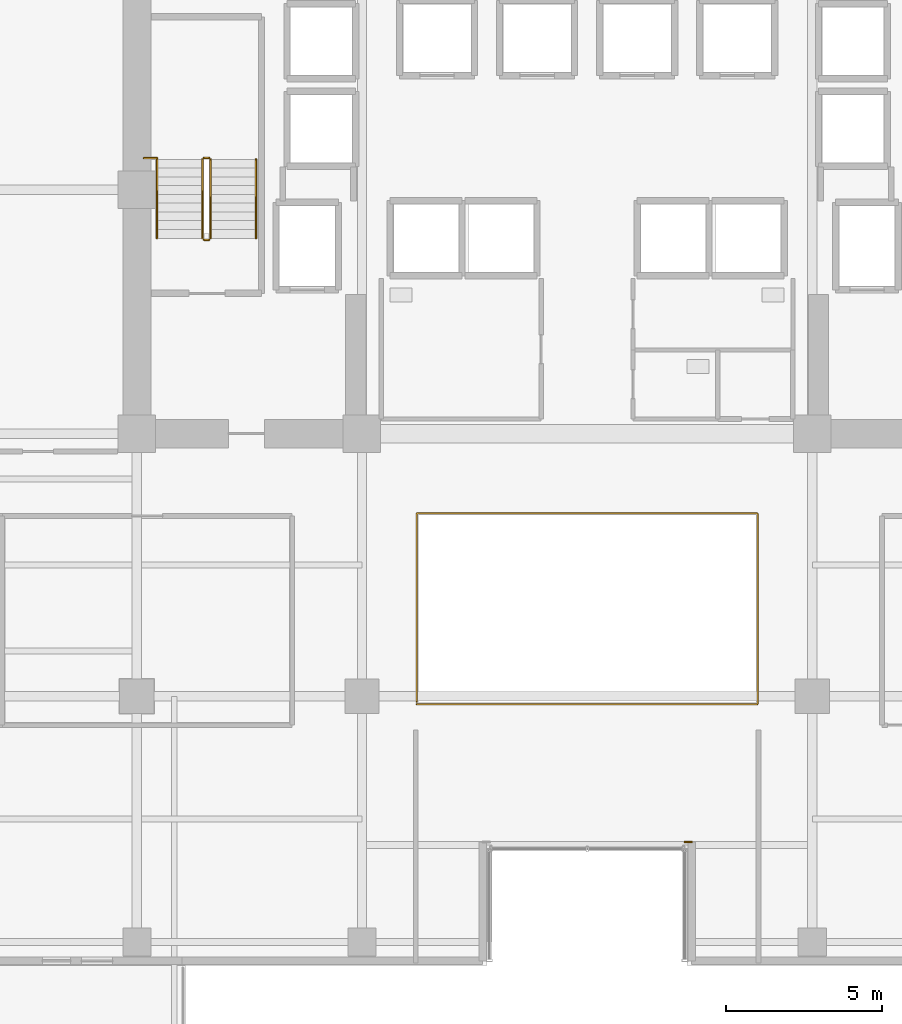
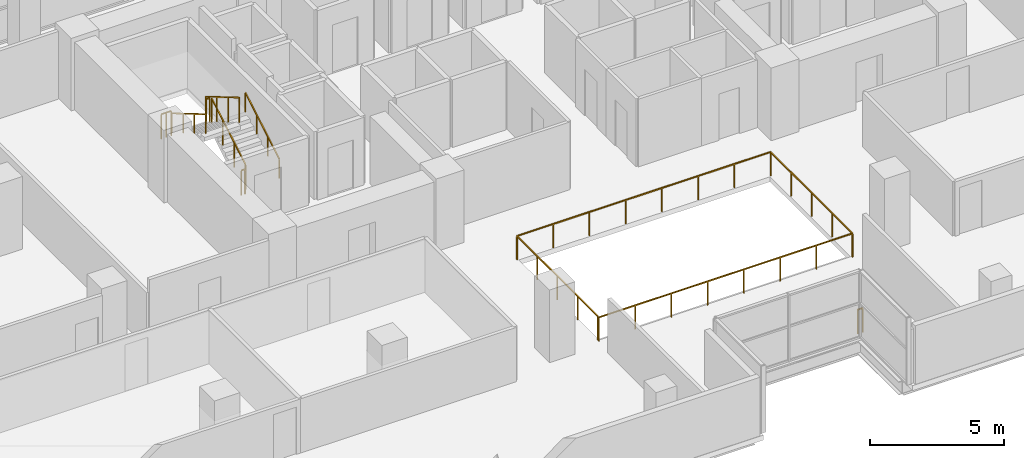
# One storey, part 28 of 30: 9 railings.
"""IFC4 building model written with IfcOpenShell, lengths in metres."""

from ifc_helpers import new_model, si_unit, direction, frame, origin, origin_2d, place, context, subcontext, project, spatial, rectangle, extrude, material, type_object, element, save


model = new_model("IFC4")

# Units and contexts
model_context = context("Model", 3, precision=1e-05, world=origin(), true_north=direction((0.0, 1.0)))
body_context = subcontext(model_context, "Body", "Model", "MODEL_VIEW")
ifc_project = project(units=[si_unit("LENGTHUNIT", "METRE"), si_unit("AREAUNIT", "SQUARE_METRE"), si_unit("VOLUMEUNIT", "CUBIC_METRE"), si_unit("PLANEANGLEUNIT", "RADIAN"), si_unit("MASSUNIT", "GRAM", prefix="KILO")], contexts=[model_context])

# Site, building, storey
site_placement = place(None, origin())
site = spatial("IfcSite", under=ifc_project, at=site_placement, CompositionType="ELEMENT")
building_placement = place(site_placement, origin())
building = spatial("IfcBuilding", under=site, at=building_placement, Name="Zarnakvel Exchange Tower", CompositionType="ELEMENT")
storey_placement = place(building_placement, frame((0.0, 0.0, 40.60009765625)))
storey = spatial("IfcBuildingStorey", under=building, at=storey_placement, Name="L10", CompositionType="ELEMENT", Elevation=40.60009765625)

# Railings
ifc_material_1 = material(Name="Architectural Bronze Anodised Aluminium", Category="aluminium")
railing_type_1 = type_object("IfcRailingType", Name="GR-02", PredefinedType="GUARDRAIL", material=ifc_material_1)
railing_1_placement = place(storey_placement, frame((3.340087890625, -14.260009765625, 0.0)))
element("IfcRailing", 1, at=railing_1_placement, inside=storey, type_object=railing_type_1, Name="L10 Corner Spandrel Balustrade #18", PredefinedType="GUARDRAIL", context=body_context, shape_type="SweptSolid", body=[
    extrude(rectangle(XDim=0.048095703125, YDim=0.048095703125, at=origin_2d()), frame((0.0, 0.0, 1.09619140625), z_axis=(-1.0, 0.0, 0.0), x_axis=(0.0, -1.0, 0.0)), (0.0, 0.0, 1.0), 0.219970703125),
    extrude(rectangle(XDim=0.0419921875, YDim=0.0419921875, at=origin_2d()), origin(), (0.0, 0.0, 1.0), 1.072021484375),
    extrude(rectangle(XDim=0.0419921875, YDim=0.0419921875, at=origin_2d()), frame((-0.219970703125, 0.0, 0.0)), (0.0, 0.0, 1.0), 1.072021484375),
])
railing_type_2 = type_object("IfcRailingType", Name="GR-03", PredefinedType="GUARDRAIL", material=ifc_material_1)
railing_2_placement = place(storey_placement, frame((-5.449951171875, -9.85009765625, 0.0)))
element("IfcRailing", 2, at=railing_2_placement, inside=storey, type_object=railing_type_2, Name="L10 Atrium Void Perimeter Balustrade", PredefinedType="GUARDRAIL", context=body_context, shape_type="SweptSolid", body=[
    extrude(rectangle(XDim=0.048095703125, YDim=0.048095703125, at=origin_2d()), frame((0.0, 0.0, 1.076171875), z_axis=(1.0, 0.0, 0.0), x_axis=(0.0, 1.0, 0.0)), (0.0, 0.0, 1.0), 10.89990234375),
    extrude(rectangle(XDim=0.048095703125, YDim=0.048095703125, at=origin_2d()), frame((10.89990234375, 0.0, 1.076171875), z_axis=(0.0, 1.0, 0.0), x_axis=(-1.0, 0.0, 0.0)), (0.0, 0.0, 1.0), 6.10009765625),
    extrude(rectangle(XDim=0.048095703125, YDim=0.048095703125, at=origin_2d()), frame((10.89990234375, 6.10009765625, 1.076171875), z_axis=(-1.0, 0.0, 0.0), x_axis=(0.0, -1.0, 0.0)), (0.0, 0.0, 1.0), 10.89990234375),
    extrude(rectangle(XDim=0.048095703125, YDim=0.048095703125, at=origin_2d()), frame((0.0, 6.10009765625, 1.076171875), z_axis=(0.0, -1.0, 0.0), x_axis=(1.0, 0.0, 0.0)), (0.0, 0.0, 1.0), 6.02001953125),
    extrude(rectangle(XDim=0.0419921875, YDim=0.0419921875, at=origin_2d()), origin(), (0.0, 0.0, 1.0), 1.052001953125),
    extrude(rectangle(XDim=0.0419921875, YDim=0.0419921875, at=origin_2d()), frame((1.55712890625, 0.0, 0.0)), (0.0, 0.0, 1.0), 1.052001953125),
    extrude(rectangle(XDim=0.0419921875, YDim=0.0419921875, at=origin_2d()), frame((3.1142578125, 0.0, 0.0)), (0.0, 0.0, 1.0), 1.052001953125),
    extrude(rectangle(XDim=0.0419921875, YDim=0.0419921875, at=origin_2d()), frame((4.67138671875, 0.0, 0.0)), (0.0, 0.0, 1.0), 1.052001953125),
    extrude(rectangle(XDim=0.0419921875, YDim=0.0419921875, at=origin_2d()), frame((6.228515625, 0.0, 0.0)), (0.0, 0.0, 1.0), 1.052001953125),
    extrude(rectangle(XDim=0.0419921875, YDim=0.0419921875, at=origin_2d()), frame((7.78564453125, 0.0, 0.0)), (0.0, 0.0, 1.0), 1.052001953125),
    extrude(rectangle(XDim=0.0419921875, YDim=0.0419921875, at=origin_2d()), frame((9.3427734375, 0.0, 0.0)), (0.0, 0.0, 1.0), 1.052001953125),
    extrude(rectangle(XDim=0.0419921875, YDim=0.0419921875, at=origin_2d()), frame((10.89990234375, 0.0, 0.0)), (0.0, 0.0, 1.0), 1.052001953125),
    extrude(rectangle(XDim=0.0419921875, YDim=0.0419921875, at=origin_2d()), frame((10.89990234375, 1.52490234375, 0.0)), (0.0, 0.0, 1.0), 1.052001953125),
    extrude(rectangle(XDim=0.0419921875, YDim=0.0419921875, at=origin_2d()), frame((10.89990234375, 3.050048828125, 0.0)), (0.0, 0.0, 1.0), 1.052001953125),
    extrude(rectangle(XDim=0.0419921875, YDim=0.0419921875, at=origin_2d()), frame((10.89990234375, 4.5751953125, 0.0)), (0.0, 0.0, 1.0), 1.052001953125),
    extrude(rectangle(XDim=0.0419921875, YDim=0.0419921875, at=origin_2d()), frame((10.89990234375, 6.10009765625, 0.0)), (0.0, 0.0, 1.0), 1.052001953125),
    extrude(rectangle(XDim=0.0419921875, YDim=0.0419921875, at=origin_2d()), frame((9.3427734375, 6.10009765625, 0.0)), (0.0, 0.0, 1.0), 1.052001953125),
    extrude(rectangle(XDim=0.0419921875, YDim=0.0419921875, at=origin_2d()), frame((7.78564453125, 6.10009765625, 0.0)), (0.0, 0.0, 1.0), 1.052001953125),
    extrude(rectangle(XDim=0.0419921875, YDim=0.0419921875, at=origin_2d()), frame((6.228515625, 6.10009765625, 0.0)), (0.0, 0.0, 1.0), 1.052001953125),
    extrude(rectangle(XDim=0.0419921875, YDim=0.0419921875, at=origin_2d()), frame((4.67138671875, 6.10009765625, 0.0)), (0.0, 0.0, 1.0), 1.052001953125),
    extrude(rectangle(XDim=0.0419921875, YDim=0.0419921875, at=origin_2d()), frame((3.1142578125, 6.10009765625, 0.0)), (0.0, 0.0, 1.0), 1.052001953125),
    extrude(rectangle(XDim=0.0419921875, YDim=0.0419921875, at=origin_2d()), frame((1.55712890625, 6.10009765625, 0.0)), (0.0, 0.0, 1.0), 1.052001953125),
    extrude(rectangle(XDim=0.0419921875, YDim=0.0419921875, at=origin_2d()), frame((0.0, 6.10009765625, 0.0)), (0.0, 0.0, 1.0), 1.052001953125),
    extrude(rectangle(XDim=0.0419921875, YDim=0.0419921875, at=origin_2d()), frame((0.0, 4.59521484375, 0.0)), (0.0, 0.0, 1.0), 1.052001953125),
    extrude(rectangle(XDim=0.0419921875, YDim=0.0419921875, at=origin_2d()), frame((0.0, 3.090087890625, 0.0)), (0.0, 0.0, 1.0), 1.052001953125),
    extrude(rectangle(XDim=0.0419921875, YDim=0.0419921875, at=origin_2d()), frame((0.0, 1.5849609375, 0.0)), (0.0, 0.0, 1.0), 1.052001953125),
    extrude(rectangle(XDim=0.0419921875, YDim=0.0419921875, at=origin_2d()), frame((0.0, 0.080078125, 0.0)), (0.0, 0.0, 1.0), 1.052001953125),
])
ifc_material_2 = material(Name="Brushed Stainless Steel", Category="steel")
railing_type_3 = type_object("IfcRailingType", Name="HR-01", PredefinedType="HANDRAIL", material=ifc_material_2)
railing_3_placement = place(storey_placement, frame((-10.590087890625, 5.050048828125, 0.164794921875)))
element("IfcRailing", 3, at=railing_3_placement, inside=storey, type_object=railing_type_3, Name="L10 ST-01 stair handrail 1", PredefinedType="HANDRAIL", context=body_context, shape_type="SweptSolid", body=[
    extrude(rectangle(XDim=0.048095703125, YDim=0.048095703125, at=origin_2d()), frame((0.0, 0.0, 0.8759765625), z_axis=(0.0, 0.86152411907, 0.507716645641), x_axis=(-1.0, 0.0, 0.0)), (0.0, 0.0, 1.0), 2.925048828125),
    extrude(rectangle(XDim=0.0419921875, YDim=0.0419921875, at=origin_2d()), origin(), (0.0, 0.0, 1.0), 0.851806640625),
    extrude(rectangle(XDim=0.0419921875, YDim=0.0419921875, at=origin_2d()), frame((0.0, 0.840087890625, 0.4951171875)), (0.0, 0.0, 1.0), 0.851806640625),
    extrude(rectangle(XDim=0.0419921875, YDim=0.0419921875, at=origin_2d()), frame((0.0, 1.679931640625, 0.989990234375)), (0.0, 0.0, 1.0), 0.851806640625),
    extrude(rectangle(XDim=0.0419921875, YDim=0.0419921875, at=origin_2d()), frame((0.0, 2.52001953125, 1.485107421875)), (0.0, 0.0, 1.0), 0.851806640625),
])
railing_4_placement = place(storey_placement, frame((-13.75, 7.570068359375, 1.81494140625)))
element("IfcRailing", 4, at=railing_4_placement, inside=storey, type_object=railing_type_3, Name="L10 ST-01 stair handrail 2", PredefinedType="HANDRAIL", context=body_context, shape_type="SweptSolid", body=[
    extrude(rectangle(XDim=0.048095703125, YDim=0.048095703125, at=origin_2d()), frame((0.0, 0.0, 0.8759765625), z_axis=(0.0, -0.861560626758, 0.507654692109), x_axis=(1.0, 0.0, 0.0)), (0.0, 0.0, 1.0), 2.925048828125),
    extrude(rectangle(XDim=0.0419921875, YDim=0.0419921875, at=origin_2d()), origin(), (0.0, 0.0, 1.0), 0.851806640625),
    extrude(rectangle(XDim=0.0419921875, YDim=0.0419921875, at=origin_2d()), frame((0.0, -0.840087890625, 0.494873046875)), (0.0, 0.0, 1.0), 0.851806640625),
    extrude(rectangle(XDim=0.0419921875, YDim=0.0419921875, at=origin_2d()), frame((0.0, -1.679931640625, 0.989990234375)), (0.0, 0.0, 1.0), 0.851806640625),
    extrude(rectangle(XDim=0.0419921875, YDim=0.0419921875, at=origin_2d()), frame((0.0, -2.52001953125, 1.48486328125)), (0.0, 0.0, 1.0), 0.851806640625),
])
railing_type_4 = type_object("IfcRailingType", Name="SG-01", PredefinedType="GUARDRAIL", material=ifc_material_1)
railing_5_placement = place(storey_placement, frame((-12.0400390625, 5.050048828125, 0.164794921875)))
element("IfcRailing", 5, at=railing_5_placement, inside=storey, type_object=railing_type_4, Name="L10 ST-01 stair guard 1", PredefinedType="GUARDRAIL", context=body_context, shape_type="SweptSolid", body=[
    extrude(rectangle(XDim=0.048095703125, YDim=0.048095703125, at=origin_2d()), frame((0.0, 0.0, 1.1259765625), z_axis=(0.0, 0.86152411907, 0.507716645641), x_axis=(-1.0, 0.0, 0.0)), (0.0, 0.0, 1.0), 2.925048828125),
    extrude(rectangle(XDim=0.0419921875, YDim=0.0419921875, at=origin_2d()), origin(), (0.0, 0.0, 1.0), 1.101806640625),
    extrude(rectangle(XDim=0.0419921875, YDim=0.0419921875, at=origin_2d()), frame((0.0, 0.840087890625, 0.4951171875)), (0.0, 0.0, 1.0), 1.101806640625),
    extrude(rectangle(XDim=0.0419921875, YDim=0.0419921875, at=origin_2d()), frame((0.0, 1.679931640625, 0.989990234375)), (0.0, 0.0, 1.0), 1.101806640625),
    extrude(rectangle(XDim=0.0419921875, YDim=0.0419921875, at=origin_2d()), frame((0.0, 2.52001953125, 1.485107421875)), (0.0, 0.0, 1.0), 1.101806640625),
])
railing_6_placement = place(storey_placement, frame((-12.090087890625, 7.6201171875, 1.64990234375)))
element("IfcRailing", 6, at=railing_6_placement, inside=storey, type_object=railing_type_4, Name="L10 ST-01 stair guard 2", PredefinedType="GUARDRAIL", context=body_context, shape_type="SweptSolid", body=[
    extrude(rectangle(XDim=0.048095703125, YDim=0.048095703125, at=origin_2d()), frame((0.0, 0.0, 1.1259765625), z_axis=(-1.0, 0.0, 0.0), x_axis=(0.0, -1.0, 0.0)), (0.0, 0.0, 1.0), 0.159912109375),
    extrude(rectangle(XDim=0.0419921875, YDim=0.0419921875, at=origin_2d()), origin(), (0.0, 0.0, 1.0), 1.101806640625),
    extrude(rectangle(XDim=0.0419921875, YDim=0.0419921875, at=origin_2d()), frame((-0.159912109375, 0.0, 0.0)), (0.0, 0.0, 1.0), 1.101806640625),
])
railing_7_placement = place(storey_placement, frame((-12.300048828125, 7.570068359375, 1.81494140625)))
element("IfcRailing", 7, at=railing_7_placement, inside=storey, type_object=railing_type_4, Name="L10 ST-01 stair guard 3", PredefinedType="GUARDRAIL", context=body_context, shape_type="SweptSolid", body=[
    extrude(rectangle(XDim=0.048095703125, YDim=0.048095703125, at=origin_2d()), frame((0.0, 0.0, 1.1259765625), z_axis=(0.0, -0.861560626758, 0.507654692109), x_axis=(1.0, 0.0, 0.0)), (0.0, 0.0, 1.0), 2.925048828125),
    extrude(rectangle(XDim=0.0419921875, YDim=0.0419921875, at=origin_2d()), origin(), (0.0, 0.0, 1.0), 1.101806640625),
    extrude(rectangle(XDim=0.0419921875, YDim=0.0419921875, at=origin_2d()), frame((0.0, -0.840087890625, 0.494873046875)), (0.0, 0.0, 1.0), 1.101806640625),
    extrude(rectangle(XDim=0.0419921875, YDim=0.0419921875, at=origin_2d()), frame((0.0, -1.679931640625, 0.989990234375)), (0.0, 0.0, 1.0), 1.101806640625),
    extrude(rectangle(XDim=0.0419921875, YDim=0.0419921875, at=origin_2d()), frame((0.0, -2.52001953125, 1.48486328125)), (0.0, 0.0, 1.0), 1.101806640625),
])
railing_8_placement = place(storey_placement, frame((-12.090087890625, 5.0, 0.0)))
element("IfcRailing", 8, at=railing_8_placement, inside=storey, type_object=railing_type_4, Name="L10 ST-01 stair guard 4", PredefinedType="GUARDRAIL", context=body_context, shape_type="SweptSolid", body=[
    extrude(rectangle(XDim=0.048095703125, YDim=0.048095703125, at=origin_2d()), frame((0.0, 0.0, 1.1259765625), z_axis=(-1.0, 0.0, 0.0), x_axis=(0.0, -1.0, 0.0)), (0.0, 0.0, 1.0), 0.159912109375),
    extrude(rectangle(XDim=0.0419921875, YDim=0.0419921875, at=origin_2d()), origin(), (0.0, 0.0, 1.0), 1.101806640625),
    extrude(rectangle(XDim=0.0419921875, YDim=0.0419921875, at=origin_2d()), frame((-0.159912109375, 0.0, 0.0)), (0.0, 0.0, 1.0), 1.101806640625),
])
railing_9_placement = place(storey_placement, frame((-14.179931640625, 7.610107421875, 1.64990234375)))
element("IfcRailing", 9, at=railing_9_placement, inside=storey, type_object=railing_type_4, Name="L10 ST-01 Landing Slot Guardrail", PredefinedType="GUARDRAIL", context=body_context, shape_type="SweptSolid", body=[
    extrude(rectangle(XDim=0.048095703125, YDim=0.048095703125, at=origin_2d()), frame((0.0, 0.0, 1.1259765625), z_axis=(1.0, 0.0, 0.0), x_axis=(0.0, 1.0, 0.0)), (0.0, 0.0, 1.0), 0.429931640625),
    extrude(rectangle(XDim=0.0419921875, YDim=0.0419921875, at=origin_2d()), origin(), (0.0, 0.0, 1.0), 1.101806640625),
    extrude(rectangle(XDim=0.0419921875, YDim=0.0419921875, at=origin_2d()), frame((0.21484375, 0.0, 0.0)), (0.0, 0.0, 1.0), 1.101806640625),
    extrude(rectangle(XDim=0.0419921875, YDim=0.0419921875, at=origin_2d()), frame((0.429931640625, 0.0, 0.0)), (0.0, 0.0, 1.0), 1.101806640625),
])

save(model, "model.ifc")
